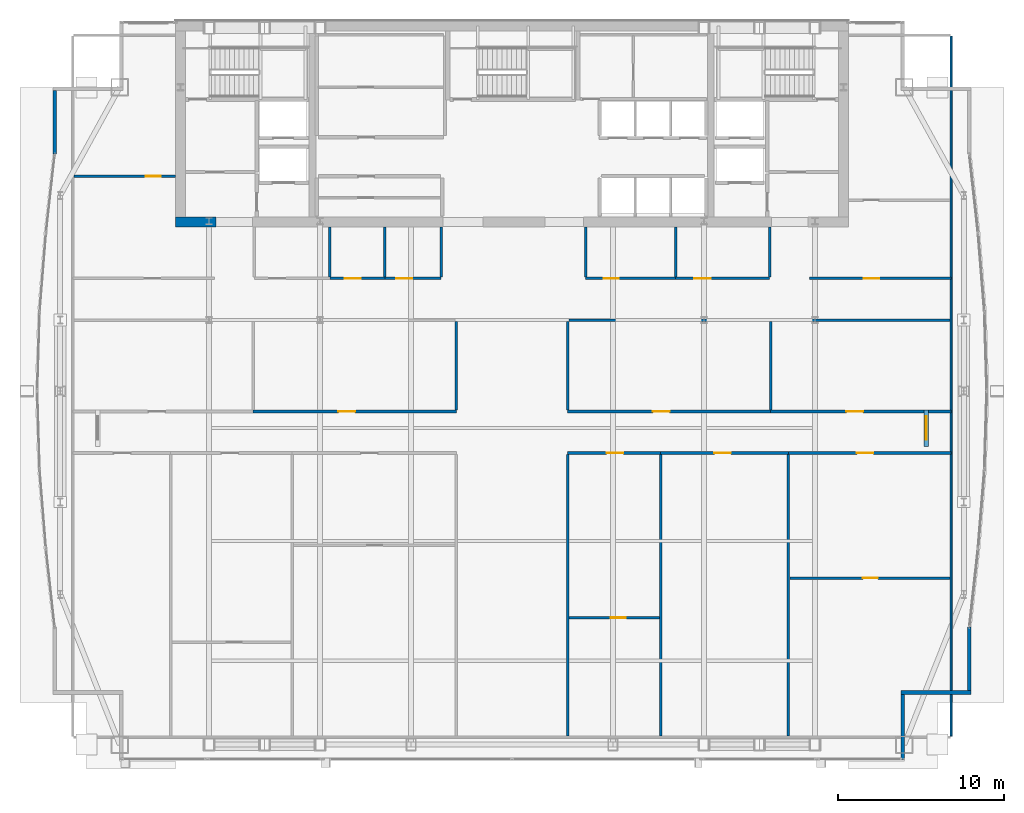
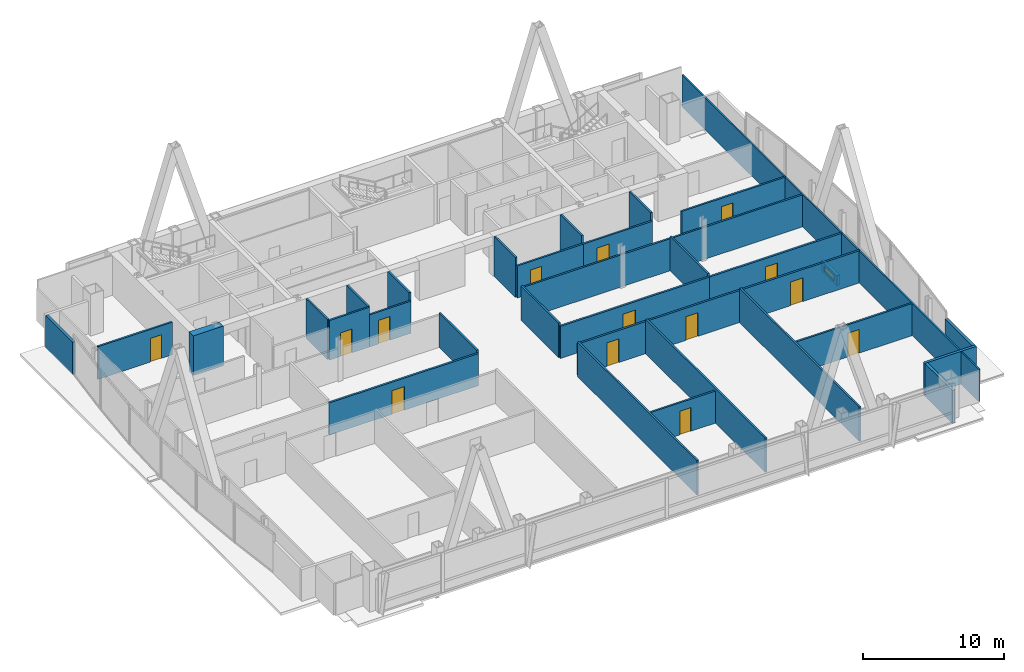
# One storey, part 26 of 30: 34 walls, 14 doors, 1 window, 15 openings.
"""IFC4 building model written with IfcOpenShell, lengths in metres."""

from ifc_helpers import new_model, si_unit, direction, frame, frame_2d, origin, place, context, subcontext, project, spatial, rectangle, extrude, material, layer, layer_set, type_object, element, fill, save


model = new_model("IFC4")

# Units and contexts
model_context = context("Model", 3, precision=1e-05, world=origin(), true_north=direction((0.0, 1.0)))
body_context = subcontext(model_context, "Body", "Model", "MODEL_VIEW")
ifc_project = project(units=[si_unit("LENGTHUNIT", "METRE"), si_unit("AREAUNIT", "SQUARE_METRE"), si_unit("VOLUMEUNIT", "CUBIC_METRE"), si_unit("PLANEANGLEUNIT", "RADIAN"), si_unit("MASSUNIT", "GRAM", prefix="KILO")], contexts=[model_context])

# Site, building, storey
site_placement = place(None, origin())
site = spatial("IfcSite", under=ifc_project, at=site_placement, CompositionType="ELEMENT")
building_placement = place(site_placement, origin())
building = spatial("IfcBuilding", under=site, at=building_placement, Name="Khoronbel Lancet Exchange", CompositionType="ELEMENT")
storey_placement = place(building_placement, frame((0.0, 0.0, 239.0)))
storey = spatial("IfcBuildingStorey", under=building, at=storey_placement, Name="L61", CompositionType="ELEMENT", Elevation=239.0)

# Walls
ifc_material_1 = material(Name="Concrete C60/75", Category="concrete")
ifc_layer_1 = layer(ifc_material_1, 0.60009765625, Name="Concrete C60/75")
ifc_layer_set_1 = layer_set([ifc_layer_1], Name="Concrete C60/75")
wall_type_1 = type_object("IfcWallType", Name="WL-CW3", PredefinedType="SHEAR", material=ifc_layer_set_1)
wall_1_placement = place(storey_placement, frame((18.64990234375, 41.60009765625, 0.0), z_axis=(0.0, 0.0, 1.0), x_axis=(-1.0, 0.0, 0.0)))
element("IfcWall", 1, at=wall_1_placement, inside=storey, type_object=wall_type_1, Name="Level L61 rear core south shear wall pier P1", PredefinedType="SHEAR", context=body_context, shape_type="SweptSolid", body=[
    extrude(rectangle(XDim=2.449951171875, YDim=0.60009765625, at=frame_2d((1.22509765625, 0.0))), origin(), (0.0, 0.0, 1.0), 3.43994140625),
])
ifc_material_2 = material(Name="Precast concrete C40/50", Category="concrete")
ifc_layer_2 = layer(ifc_material_2, 0.25, Name="Precast concrete C40/50")
ifc_layer_set_2 = layer_set([ifc_layer_2], Name="Precast concrete C40/50")
wall_type_2 = type_object("IfcWallType", Name="WL-EXT250", PredefinedType="SOLIDWALL", material=ifc_layer_set_2)
wall_2_placement = place(storey_placement, frame((8.93994140625, 45.675048828125, 0.0), z_axis=(0.0, 0.0, 1.0), x_axis=(0.0, 1.0, 0.0)))
element("IfcWall", 2, at=wall_2_placement, inside=storey, type_object=wall_type_2, Name="Level L61 notched-corner limestone pier 10", PredefinedType="SOLIDWALL", context=body_context, shape_type="SweptSolid", body=[
    extrude(rectangle(XDim=3.824951171875, YDim=0.219970703125, at=frame_2d((1.91259765625, 0.0))), origin(), (0.0, 0.0, 1.0), 2.830078125),
])
wall_3_placement = place(storey_placement, frame((63.9599609375, 17.22509765625, 0.0), z_axis=(0.0, 0.0, 1.0), x_axis=(0.0, -1.0, 0.0)))
element("IfcWall", 3, at=wall_3_placement, inside=storey, type_object=wall_type_2, Name="Level L61 notched-corner limestone pier 23", PredefinedType="SOLIDWALL", context=body_context, shape_type="SweptSolid", body=[
    extrude(rectangle(XDim=3.8251953125, YDim=0.219970703125, at=frame_2d((1.91259765625, 0.0))), origin(), (0.0, 0.0, 1.0), 2.830078125),
])
wall_4_placement = place(storey_placement, frame((64.070068359375, 13.2900390625, 0.0), z_axis=(0.0, 0.0, 1.0), x_axis=(-1.0, 0.0, 0.0)))
element("IfcWall", 4, at=wall_4_placement, inside=storey, type_object=wall_type_2, Name="Level L61 notched-corner limestone pier 24", PredefinedType="SOLIDWALL", context=body_context, shape_type="SweptSolid", body=[
    extrude(rectangle(XDim=4.219970703125, YDim=0.219970703125, at=frame_2d((2.10986328125, 0.0))), origin(), (0.0, 0.0, 1.0), 2.830078125),
])
wall_5_placement = place(storey_placement, frame((59.9599609375, 13.179931640625, 0.0), z_axis=(0.0, 0.0, 1.0), x_axis=(0.0, -1.0, 0.0)))
element("IfcWall", 5, at=wall_5_placement, inside=storey, type_object=wall_type_2, Name="Level L61 notched-corner limestone pier 25", PredefinedType="SOLIDWALL", context=body_context, shape_type="SweptSolid", body=[
    extrude(rectangle(XDim=3.909912109375, YDim=0.219970703125, at=frame_2d((1.955078125, 0.0))), origin(), (0.0, 0.0, 1.0), 2.830078125),
])

# Wall, opening, window
ifc_material_3 = material(Name="Concrete C40/50", Category="concrete")
ifc_layer_3 = layer(ifc_material_3, 0.25, Name="Concrete C40/50")
ifc_layer_set_3 = layer_set([ifc_layer_3], Name="Concrete C40/50")
wall_type_3 = type_object("IfcWallType", Name="WL-PAR250", PredefinedType="PARAPET", material=ifc_layer_set_3)
wall_6_placement = place(storey_placement, frame((61.375, 28.10009765625, 0.0), z_axis=(0.0, 0.0, 1.0), x_axis=(0.0, 1.0, 0.0)))
wall_6 = element("IfcWall", 6, at=wall_6_placement, inside=storey, type_object=wall_type_3, Name="Level L61 setback roof slab 2 smoke-ventilation skylight lantern curb", PredefinedType="PARAPET", context=body_context, shape_type="SweptSolid", body=[
    extrude(rectangle(XDim=2.199951171875, YDim=0.25, at=frame_2d((1.10009765625, 0.0))), origin(), (0.0, 0.0, 1.0), 0.8798828125),
])
opening_1_placement = place(wall_6_placement, frame((0.39990234375, 0.0, 0.159912109375)))
opening_1 = element("IfcOpeningElement", 7, at=opening_1_placement, cuts=wall_6, Name="Opening SK2", PredefinedType="OPENING", context=body_context, shape_type="SweptSolid", body=[
    extrude(rectangle(XDim=1.39990234375, YDim=0.5, at=frame_2d((0.699951171875, 0.25))), frame((0.0, 0.135009765625, 0.0), z_axis=(0.0, -1.0, 0.0), x_axis=(1.0, 0.0, 0.0)), (0.0, 0.0, 1.0), 0.27001953125),
])
ifc_material_4 = material(Name="Low-E Solar Control Insulating Glass", Category="glass")
window_type = type_object("IfcWindowType", Name="WIN-SK2", PartitioningType="SINGLE_PANEL", PredefinedType="SKYLIGHT", material=ifc_material_4)
window_placement = place(opening_1_placement, origin())
window = element("IfcWindow", 8, at=window_placement, inside=storey, type_object=window_type, Name="Level L61 setback roof slab 2 smoke-ventilation clerestory skylight", OverallHeight=0.5, OverallWidth=1.39990234375, PartitioningType="SINGLE_PANEL", PredefinedType="SKYLIGHT", context=body_context, shape_type="SweptSolid", body=[
    extrude(rectangle(XDim=1.39990234375, YDim=0.5, at=frame_2d((0.699951171875, 0.25))), frame((0.0, 0.030029296875, 0.0), z_axis=(0.0, -1.0, 0.0), x_axis=(1.0, 0.0, 0.0)), (0.0, 0.0, 1.0), 0.06005859375),
])
fill(opening_1, window)

# Walls
ifc_material_5 = material(Name="Acoustic Metal-Stud & Mineral-Wool Gypsum Partition 120 mm", Category="gypsum")
ifc_layer_4 = layer(ifc_material_5, 0.1201171875, Name="Acoustic Metal-Stud & Mineral-Wool Gypsum Partition 120 mm")
ifc_layer_set_4 = layer_set([ifc_layer_4], Name="Acoustic Metal-Stud & Mineral-Wool Gypsum Partition 120 mm")
wall_type_4 = type_object("IfcWallType", Name="WL-PRT120", PredefinedType="PARTITIONING", material=ifc_layer_set_4)
for number, where, z_axis, x_axis, name in (
    (9, (25.5, 38.280029296875, 0.0), (0.0, 0.0, 1.0), (0.0, 1.0, 0.0), "Level L61 interior partition PW-WC-1"),
    (10, (28.800048828125, 38.280029296875, 0.0), (0.0, 0.0, 1.0), (0.0, 1.0, 0.0), "Level L61 interior partition PW-WC-2"),
    (11, (32.179931640625, 38.280029296875, 0.0), (0.0, 0.0, 1.0), (0.0, 1.0, 0.0), "Level L61 interior partition PW-WC-3"),
    (12, (40.8798828125, 38.280029296875, 0.0), (0.0, 0.0, 1.0), (0.0, 1.0, 0.0), "Level L61 interior partition PW-NP-0"),
    (13, (46.300048828125, 38.280029296875, 0.0), (0.0, 0.0, 1.0), (0.0, 1.0, 0.0), "Level L61 interior partition PW-NP-M"),
    (14, (51.949951171875, 38.280029296875, 0.0), (0.0, 0.0, 1.0), (0.0, 1.0, 0.0), "Level L61 interior partition PW-NP-1"),
):
    element("IfcWall", number, at=place(storey_placement, frame(where, z_axis=z_axis, x_axis=x_axis)), inside=storey, type_object=wall_type_4, Name=name, PredefinedType="PARTITIONING", context=body_context, shape_type="SweptSolid", body=[
        extrude(rectangle(XDim=3.02001953125, YDim=0.14990234375, at=frame_2d((1.510009765625, 0.0))), origin(), (0.0, 0.0, 1.0), 3.43994140625),
    ])

# Wall, opening, door
wall_7_placement = place(storey_placement, frame((10.094970703125, 44.35009765625, 0.0), z_axis=(0.0, 0.0, 1.0), x_axis=(1.0, 0.0, 0.0)))
wall_7 = element("IfcWall", 15, at=wall_7_placement, inside=storey, type_object=wall_type_4, Name="Level L61 interior partition PW-NW-H", PredefinedType="PARTITIONING", context=body_context, shape_type="SweptSolid", body=[
    extrude(rectangle(XDim=6.10498046875, YDim=0.14990234375, at=frame_2d((3.052490234375, 0.0))), origin(), (0.0, 0.0, 1.0), 2.830078125),
])
opening_2_placement = place(wall_7_placement, frame((4.320068359375, 0.0, 0.0)))
opening_2 = element("IfcOpeningElement", 16, at=opening_2_placement, cuts=wall_7, Name="Opening D5", PredefinedType="OPENING", context=body_context, shape_type="SweptSolid", body=[
    extrude(rectangle(XDim=0.89990234375, YDim=2.050048828125, at=frame_2d((0.449951171875, 1.02490234375))), frame((0.0, 0.0849609375, 0.0), z_axis=(0.0, -1.0, 0.0), x_axis=(1.0, 0.0, 0.0)), (0.0, 0.0, 1.0), 0.169921875),
])
ifc_material_6 = material(Name="Acoustic Timber Pantry & Support Door", Category="wood")
door_type_1 = type_object("IfcDoorType", Name="DR-D5", OperationType="NOTDEFINED", PredefinedType="DOOR", material=ifc_material_6)
door_1_placement = place(opening_2_placement, origin())
door_1 = element("IfcDoor", 17, at=door_1_placement, inside=storey, type_object=door_type_1, Name="NW north room door L61-1", OperationType="SINGLE_SWING_LEFT", OverallHeight=2.050048828125, OverallWidth=0.89990234375, PredefinedType="DOOR", context=body_context, shape_type="SweptSolid", body=[
    extrude(rectangle(XDim=0.89990234375, YDim=2.050048828125, at=frame_2d((0.449951171875, 1.02490234375))), frame((0.0, 0.02490234375, 0.0), z_axis=(0.0, -1.0, 0.0), x_axis=(1.0, 0.0, 0.0)), (0.0, 0.0, 1.0), 0.050048828125),
])
fill(opening_2, door_1)

wall_8_placement = place(storey_placement, frame((39.8798828125, 17.781982421875, 0.0), z_axis=(0.0, 0.0, 1.0), x_axis=(1.0, 0.0, 0.0)))
wall_8 = element("IfcWall", 18, at=wall_8_placement, inside=storey, type_object=wall_type_4, Name="Level L61 interior partition PW-Z3SE-H1", PredefinedType="PARTITIONING", context=body_context, shape_type="SweptSolid", body=[
    extrude(rectangle(XDim=5.432861328125, YDim=0.14990234375, at=frame_2d((2.71630859375, 0.0))), origin(), (0.0, 0.0, 1.0), 2.780029296875),
])
opening_3_placement = place(wall_8_placement, frame((2.5166015625, 0.0, 0.0)))
opening_3 = element("IfcOpeningElement", 19, at=opening_3_placement, cuts=wall_8, Name="Opening D5", PredefinedType="OPENING", context=body_context, shape_type="SweptSolid", body=[
    extrude(rectangle(XDim=0.89990234375, YDim=2.050048828125, at=frame_2d((0.449951171875, 1.02490234375))), frame((0.0, 0.0849609375, 0.0), z_axis=(0.0, -1.0, 0.0), x_axis=(1.0, 0.0, 0.0)), (0.0, 0.0, 1.0), 0.169921875),
])
door_2_placement = place(opening_3_placement, origin())
door_2 = element("IfcDoor", 20, at=door_2_placement, inside=storey, type_object=door_type_1, Name="Z3SE inner door 1 L61-1", OperationType="SINGLE_SWING_LEFT", OverallHeight=2.050048828125, OverallWidth=0.89990234375, PredefinedType="DOOR", context=body_context, shape_type="SweptSolid", body=[
    extrude(rectangle(XDim=0.89990234375, YDim=2.050048828125, at=frame_2d((0.449951171875, 1.02490234375))), frame((0.0, 0.02490234375, 0.0), z_axis=(0.0, -1.0, 0.0), x_axis=(1.0, 0.0, 0.0)), (0.0, 0.0, 1.0), 0.050048828125),
])
fill(opening_3, door_2)

wall_9_placement = place(storey_placement, frame((53.16259765625, 20.176025390625, 0.0), z_axis=(0.0, 0.0, 1.0), x_axis=(1.0, 0.0, 0.0)))
wall_9 = element("IfcWall", 21, at=wall_9_placement, inside=storey, type_object=wall_type_4, Name="Level L61 interior partition PW-Z3SE-H3", PredefinedType="PARTITIONING", context=body_context, shape_type="SweptSolid", body=[
    extrude(rectangle(XDim=9.642333984375, YDim=0.14990234375, at=frame_2d((4.8212890625, 0.0))), origin(), (0.0, 0.0, 1.0), 2.780029296875),
])
opening_4_placement = place(wall_9_placement, frame((4.404296875, 0.0, 0.0)))
opening_4 = element("IfcOpeningElement", 22, at=opening_4_placement, cuts=wall_9, Name="Opening D5", PredefinedType="OPENING", context=body_context, shape_type="SweptSolid", body=[
    extrude(rectangle(XDim=0.89990234375, YDim=2.050048828125, at=frame_2d((0.449951171875, 1.02490234375))), frame((0.0, 0.0849609375, 0.0), z_axis=(0.0, -1.0, 0.0), x_axis=(1.0, 0.0, 0.0)), (0.0, 0.0, 1.0), 0.169921875),
])
door_3_placement = place(opening_4_placement, origin())
door_3 = element("IfcDoor", 23, at=door_3_placement, inside=storey, type_object=door_type_1, Name="Z3SE inner door 3 L61-1", OperationType="SINGLE_SWING_RIGHT", OverallHeight=2.050048828125, OverallWidth=0.89990234375, PredefinedType="DOOR", context=body_context, shape_type="SweptSolid", body=[
    extrude(rectangle(XDim=0.89990234375, YDim=2.050048828125, at=frame_2d((0.449951171875, 1.02490234375))), frame((0.0, 0.02490234375, 0.0), z_axis=(0.0, -1.0, 0.0), x_axis=(1.0, 0.0, 0.0)), (0.0, 0.0, 1.0), 0.050048828125),
])
fill(opening_4, door_3)

# Wall
wall_10_placement = place(storey_placement, frame((62.8701171875, 10.6650390625, 0.0), z_axis=(0.0, 0.0, 1.0), x_axis=(0.0, 1.0, 0.0)))
element("IfcWall", 24, at=wall_10_placement, inside=storey, type_object=wall_type_4, Name="Level L61 interior partition PW-LIN-E", PredefinedType="PARTITIONING", context=body_context, shape_type="SweptSolid", body=[
    extrude(rectangle(XDim=42.10986328125, YDim=0.1201171875, at=frame_2d((21.054931640625, 0.0))), origin(), (0.0, 0.0, 1.0), 2.780029296875),
])

# Wall, opening, door
ifc_material_7 = material(Name="Fire-Rated Twin-Stud Acoustic Gypsum Partition 150 mm", Category="gypsum")
ifc_layer_5 = layer(ifc_material_7, 0.14990234375, Name="Fire-Rated Twin-Stud Acoustic Gypsum Partition 150 mm")
ifc_layer_set_5 = layer_set([ifc_layer_5], Name="Fire-Rated Twin-Stud Acoustic Gypsum Partition 150 mm")
wall_type_5 = type_object("IfcWallType", Name="WL-PRT150C", PredefinedType="PARTITIONING", material=ifc_layer_set_5)
wall_11_placement = place(storey_placement, frame((25.5, 38.199951171875, 0.0), z_axis=(0.0, 0.0, 1.0), x_axis=(1.0, 0.0, 0.0)))
wall_11 = element("IfcWall", 25, at=wall_11_placement, inside=storey, type_object=wall_type_5, Name="Level L61 interior partition PW-WC-S2", PredefinedType="PARTITIONING", context=body_context, shape_type="SweptSolid", body=[
    extrude(rectangle(XDim=3.300048828125, YDim=0.14990234375, at=frame_2d((1.64990234375, 0.0))), origin(), (0.0, 0.0, 1.0), 3.43994140625),
])
opening_5_placement = place(wall_11_placement, frame((0.89990234375, 0.0, 0.0)))
opening_5 = element("IfcOpeningElement", 26, at=opening_5_placement, cuts=wall_11, Name="Opening D4", PredefinedType="OPENING", context=body_context, shape_type="SweptSolid", body=[
    extrude(rectangle(XDim=0.949951171875, YDim=2.050048828125, at=frame_2d((0.47509765625, 1.02490234375))), frame((0.0, 0.0849609375, 0.0), z_axis=(0.0, -1.0, 0.0), x_axis=(1.0, 0.0, 0.0)), (0.0, 0.0, 1.0), 0.169921875),
])
ifc_material_8 = material(Name="Moisture-Resistant HPL Washroom Door", Category="wood")
door_type_2 = type_object("IfcDoorType", Name="DR-D4", OperationType="NOTDEFINED", PredefinedType="DOOR", material=ifc_material_8)
door_4_placement = place(opening_5_placement, origin())
door_4 = element("IfcDoor", 27, at=door_4_placement, inside=storey, type_object=door_type_2, Name="Female washroom door L61-1", OperationType="SINGLE_SWING_LEFT", OverallHeight=2.050048828125, OverallWidth=0.949951171875, PredefinedType="DOOR", context=body_context, shape_type="SweptSolid", body=[
    extrude(rectangle(XDim=0.949951171875, YDim=2.050048828125, at=frame_2d((0.47509765625, 1.02490234375))), frame((0.0, 0.02490234375, 0.0), z_axis=(0.0, -1.0, 0.0), x_axis=(1.0, 0.0, 0.0)), (0.0, 0.0, 1.0), 0.050048828125),
])
fill(opening_5, door_4)

wall_12_placement = place(storey_placement, frame((28.800048828125, 38.199951171875, 0.0), z_axis=(0.0, 0.0, 1.0), x_axis=(1.0, 0.0, 0.0)))
wall_12 = element("IfcWall", 28, at=wall_12_placement, inside=storey, type_object=wall_type_5, Name="Level L61 interior partition PW-WC-S3", PredefinedType="PARTITIONING", context=body_context, shape_type="SweptSolid", body=[
    extrude(rectangle(XDim=3.3798828125, YDim=0.14990234375, at=frame_2d((1.68994140625, 0.0))), origin(), (0.0, 0.0, 1.0), 2.780029296875),
])
opening_6_placement = place(wall_12_placement, frame((0.699951171875, 0.0, 0.0)))
opening_6 = element("IfcOpeningElement", 29, at=opening_6_placement, cuts=wall_12, Name="Opening D4", PredefinedType="OPENING", context=body_context, shape_type="SweptSolid", body=[
    extrude(rectangle(XDim=0.949951171875, YDim=2.050048828125, at=frame_2d((0.47509765625, 1.02490234375))), frame((0.0, 0.0849609375, 0.0), z_axis=(0.0, -1.0, 0.0), x_axis=(1.0, 0.0, 0.0)), (0.0, 0.0, 1.0), 0.169921875),
])
door_5_placement = place(opening_6_placement, origin())
door_5 = element("IfcDoor", 30, at=door_5_placement, inside=storey, type_object=door_type_2, Name="Accessible WC door L61-1", OperationType="SINGLE_SWING_RIGHT", OverallHeight=2.050048828125, OverallWidth=0.949951171875, PredefinedType="DOOR", context=body_context, shape_type="SweptSolid", body=[
    extrude(rectangle(XDim=0.949951171875, YDim=2.050048828125, at=frame_2d((0.47509765625, 1.02490234375))), frame((0.0, 0.02490234375, 0.0), z_axis=(0.0, -1.0, 0.0), x_axis=(1.0, 0.0, 0.0)), (0.0, 0.0, 1.0), 0.050048828125),
])
fill(opening_6, door_5)

wall_13_placement = place(storey_placement, frame((40.8798828125, 38.199951171875, 0.0), z_axis=(0.0, 0.0, 1.0), x_axis=(1.0, 0.0, 0.0)))
wall_13 = element("IfcWall", 31, at=wall_13_placement, inside=storey, type_object=wall_type_5, Name="Level L61 interior partition PW-NP-S1", PredefinedType="PARTITIONING", context=body_context, shape_type="SweptSolid", body=[
    extrude(rectangle(XDim=5.420166015625, YDim=0.14990234375, at=frame_2d((2.7099609375, 0.0))), origin(), (0.0, 0.0, 1.0), 2.780029296875),
])
opening_7_placement = place(wall_13_placement, frame((1.10009765625, 0.0, 0.0)))
opening_7 = element("IfcOpeningElement", 32, at=opening_7_placement, cuts=wall_13, Name="Opening D5", PredefinedType="OPENING", context=body_context, shape_type="SweptSolid", body=[
    extrude(rectangle(XDim=0.89990234375, YDim=2.050048828125, at=frame_2d((0.449951171875, 1.02490234375))), frame((0.0, 0.0849609375, 0.0), z_axis=(0.0, -1.0, 0.0), x_axis=(1.0, 0.0, 0.0)), (0.0, 0.0, 1.0), 0.169921875),
])
door_6_placement = place(opening_7_placement, origin())
door_6 = element("IfcDoor", 33, at=door_6_placement, inside=storey, type_object=door_type_1, Name="Floor refreshment pantry door L61-1", OperationType="SINGLE_SWING_LEFT", OverallHeight=2.050048828125, OverallWidth=0.89990234375, PredefinedType="DOOR", context=body_context, shape_type="SweptSolid", body=[
    extrude(rectangle(XDim=0.89990234375, YDim=2.050048828125, at=frame_2d((0.449951171875, 1.02490234375))), frame((0.0, 0.02490234375, 0.0), z_axis=(0.0, -1.0, 0.0), x_axis=(1.0, 0.0, 0.0)), (0.0, 0.0, 1.0), 0.050048828125),
])
fill(opening_7, door_6)

wall_14_placement = place(storey_placement, frame((46.300048828125, 38.199951171875, 0.0), z_axis=(0.0, 0.0, 1.0), x_axis=(1.0, 0.0, 0.0)))
wall_14 = element("IfcWall", 34, at=wall_14_placement, inside=storey, type_object=wall_type_5, Name="Level L61 interior partition PW-NP-S2", PredefinedType="PARTITIONING", context=body_context, shape_type="SweptSolid", body=[
    extrude(rectangle(XDim=5.64990234375, YDim=0.14990234375, at=frame_2d((2.824951171875, 0.0))), origin(), (0.0, 0.0, 1.0), 2.780029296875),
])
opening_8_placement = place(wall_14_placement, frame((1.10009765625, 0.0, 0.0)))
opening_8 = element("IfcOpeningElement", 35, at=opening_8_placement, cuts=wall_14, Name="Opening D2", PredefinedType="OPENING", context=body_context, shape_type="SweptSolid", body=[
    extrude(rectangle(XDim=1.0, YDim=2.050048828125, at=frame_2d((0.5, 1.02490234375))), frame((0.0, 0.0849609375, 0.0), z_axis=(0.0, -1.0, 0.0), x_axis=(1.0, 0.0, 0.0)), (0.0, 0.0, 1.0), 0.169921875),
])
ifc_material_9 = material(Name="Acoustic Veneered Timber & Bronze Frame Door", Category="wood")
door_type_3 = type_object("IfcDoorType", Name="DR-D2", OperationType="NOTDEFINED", PredefinedType="DOOR", material=ifc_material_9)
door_7_placement = place(opening_8_placement, origin())
door_7 = element("IfcDoor", 36, at=door_7_placement, inside=storey, type_object=door_type_3, Name="Floor store door L61-1", OperationType="SINGLE_SWING_RIGHT", OverallHeight=2.050048828125, OverallWidth=1.0, PredefinedType="DOOR", context=body_context, shape_type="SweptSolid", body=[
    extrude(rectangle(XDim=1.0, YDim=2.050048828125, at=frame_2d((0.5, 1.02490234375))), frame((0.0, 0.02490234375, 0.0), z_axis=(0.0, -1.0, 0.0), x_axis=(1.0, 0.0, 0.0)), (0.0, 0.0, 1.0), 0.050048828125),
])
fill(opening_8, door_7)

wall_15_placement = place(storey_placement, frame((54.35009765625, 38.199951171875, 0.0), z_axis=(0.0, 0.0, 1.0), x_axis=(1.0, 0.0, 0.0)))
wall_15 = element("IfcWall", 37, at=wall_15_placement, inside=storey, type_object=wall_type_5, Name="Level L61 interior partition PW-NE-S", PredefinedType="PARTITIONING", context=body_context, shape_type="SweptSolid", body=[
    extrude(rectangle(XDim=8.52001953125, YDim=0.14990234375, at=frame_2d((4.260009765625, 0.0))), origin(), (0.0, 0.0, 1.0), 2.780029296875),
])
opening_9_placement = place(wall_15_placement, frame((3.25, 0.0, 0.0)))
opening_9 = element("IfcOpeningElement", 38, at=opening_9_placement, cuts=wall_15, Name="Opening D1", PredefinedType="OPENING", context=body_context, shape_type="SweptSolid", body=[
    extrude(rectangle(XDim=0.949951171875, YDim=2.050048828125, at=frame_2d((0.47509765625, 1.02490234375))), frame((0.0, 0.0849609375, 0.0), z_axis=(0.0, -1.0, 0.0), x_axis=(1.0, 0.0, 0.0)), (0.0, 0.0, 1.0), 0.169921875),
])
door_type_4 = type_object("IfcDoorType", Name="DR-D1", OperationType="NOTDEFINED", PredefinedType="DOOR", material=ifc_material_9)
door_8_placement = place(opening_9_placement, origin())
door_8 = element("IfcDoor", 39, at=door_8_placement, inside=storey, type_object=door_type_4, Name="NE corner room door L61-1", OperationType="SINGLE_SWING_RIGHT", OverallHeight=2.050048828125, OverallWidth=0.949951171875, PredefinedType="DOOR", context=body_context, shape_type="SweptSolid", body=[
    extrude(rectangle(XDim=0.949951171875, YDim=2.050048828125, at=frame_2d((0.47509765625, 1.02490234375))), frame((0.0, 0.02490234375, 0.0), z_axis=(0.0, -1.0, 0.0), x_axis=(1.0, 0.0, 0.0)), (0.0, 0.0, 1.0), 0.050048828125),
])
fill(opening_9, door_8)

# Walls
wall_16_placement = place(storey_placement, frame((39.800048828125, 10.6650390625, 0.0), z_axis=(0.0, 0.0, 1.0), x_axis=(0.0, 1.0, 0.0)))
element("IfcWall", 40, at=wall_16_placement, inside=storey, type_object=wall_type_5, Name="Level L61 interior partition PW-Z3-CE1", PredefinedType="PARTITIONING", context=body_context, shape_type="SweptSolid", body=[
    extrude(rectangle(XDim=16.949951171875, YDim=0.14990234375, at=frame_2d((8.47509765625, 0.0))), origin(), (0.0, 0.0, 1.0), 2.97998046875),
])
for number, where, z_axis, x_axis, name in (
    (41, (33.10009765625, 30.284912109375, 0.0), (0.0, 0.0, 1.0), (0.0, 1.0, 0.0), "Level L61 interior partition PW-Z3-CW2"),
    (42, (39.800048828125, 30.284912109375, 0.0), (0.0, 0.0, 1.0), (0.0, 1.0, 0.0), "Level L61 interior partition PW-Z3-CE2"),
):
    element("IfcWall", number, at=place(storey_placement, frame(where, z_axis=z_axis, x_axis=x_axis)), inside=storey, type_object=wall_type_5, Name=name, PredefinedType="PARTITIONING", context=body_context, shape_type="SweptSolid", body=[
        extrude(rectangle(XDim=5.335205078125, YDim=0.14990234375, at=frame_2d((2.66748046875, 0.0))), origin(), (0.0, 0.0, 1.0), 2.97998046875),
    ])
wall_17_placement = place(storey_placement, frame((39.8798828125, 35.699951171875, 0.0), z_axis=(0.0, 0.0, 1.0), x_axis=(1.0, 0.0, 0.0)))
element("IfcWall", 43, at=wall_17_placement, inside=storey, type_object=wall_type_5, Name="Level L61 interior partition PW-Z3-EN", PredefinedType="PARTITIONING", context=body_context, shape_type="SweptSolid", body=[
    extrude(rectangle(XDim=22.925048828125, YDim=0.14990234375, at=frame_2d((11.46240234375, 0.0))), origin(), (0.0, 0.0, 1.0), 2.780029296875),
])
for number, where, z_axis, x_axis, name in (
    (44, (45.392578125, 10.6650390625, 0.0), (0.0, 0.0, 1.0), (0.0, 1.0, 0.0), "Level L61 interior partition PW-Z3SE-V1"),
    (45, (53.082763671875, 10.6650390625, 0.0), (0.0, 0.0, 1.0), (0.0, 1.0, 0.0), "Level L61 interior partition PW-Z3SE-V2"),
):
    element("IfcWall", number, at=place(storey_placement, frame(where, z_axis=z_axis, x_axis=x_axis)), inside=storey, type_object=wall_type_5, Name=name, PredefinedType="PARTITIONING", context=body_context, shape_type="SweptSolid", body=[
        extrude(rectangle(XDim=16.949951171875, YDim=0.14990234375, at=frame_2d((8.47509765625, 0.0))), origin(), (0.0, 0.0, 1.0), 2.97998046875),
    ])
wall_18_placement = place(storey_placement, frame((52.013427734375, 30.284912109375, 0.0), z_axis=(0.0, 0.0, 1.0), x_axis=(0.0, 1.0, 0.0)))
element("IfcWall", 46, at=wall_18_placement, inside=storey, type_object=wall_type_5, Name="Level L61 interior partition PW-Z3NE-V1", PredefinedType="PARTITIONING", context=body_context, shape_type="SweptSolid", body=[
    extrude(rectangle(XDim=5.335205078125, YDim=0.14990234375, at=frame_2d((2.66748046875, 0.0))), origin(), (0.0, 0.0, 1.0), 2.97998046875),
])

# Wall, opening, door
ifc_material_10 = material(Name="Fire-Rated Twin-Stud Acoustic Gypsum Partition 160 mm", Category="gypsum")
ifc_layer_6 = layer(ifc_material_10, 0.159912109375, Name="Fire-Rated Twin-Stud Acoustic Gypsum Partition 160 mm")
ifc_layer_set_6 = layer_set([ifc_layer_6], Name="Fire-Rated Twin-Stud Acoustic Gypsum Partition 160 mm")
wall_type_6 = type_object("IfcWallType", Name="WL-PRT160C", PredefinedType="PARTITIONING", material=ifc_layer_set_6)
wall_19_placement = place(storey_placement, frame((39.800048828125, 27.699951171875, 0.0), z_axis=(0.0, 0.0, 1.0), x_axis=(1.0, 0.0, 0.0)))
wall_19 = element("IfcWall", 47, at=wall_19_placement, inside=storey, type_object=wall_type_6, Name="Level L61 interior partition PW-Z3SE-COR1", PredefinedType="PARTITIONING", context=body_context, shape_type="SweptSolid", body=[
    extrude(rectangle(XDim=5.592529296875, YDim=0.159912109375, at=frame_2d((2.79638671875, 0.0))), origin(), (0.0, 0.0, 1.0), 2.780029296875),
])
opening_10_placement = place(wall_19_placement, frame((2.348876953125, 0.0, 0.0)))
opening_10 = element("IfcOpeningElement", 48, at=opening_10_placement, cuts=wall_19, Name="Opening D2", PredefinedType="OPENING", context=body_context, shape_type="SweptSolid", body=[
    extrude(rectangle(XDim=1.0, YDim=2.050048828125, at=frame_2d((0.5, 1.02490234375))), frame((0.0, 0.08984375, 0.0), z_axis=(0.0, -1.0, 0.0), x_axis=(1.0, 0.0, 0.0)), (0.0, 0.0, 1.0), 0.179931640625),
])
door_9_placement = place(opening_10_placement, origin())
door_9 = element("IfcDoor", 49, at=door_9_placement, inside=storey, type_object=door_type_3, Name="Z3SE bay 1 door L61-1", OperationType="SINGLE_SWING_RIGHT", OverallHeight=2.050048828125, OverallWidth=1.0, PredefinedType="DOOR", context=body_context, shape_type="SweptSolid", body=[
    extrude(rectangle(XDim=1.0, YDim=2.050048828125, at=frame_2d((0.5, 1.02490234375))), frame((0.0, 0.02490234375, 0.0), z_axis=(0.0, -1.0, 0.0), x_axis=(1.0, 0.0, 0.0)), (0.0, 0.0, 1.0), 0.050048828125),
])
fill(opening_10, door_9)

wall_20_placement = place(storey_placement, frame((45.392578125, 27.699951171875, 0.0), z_axis=(0.0, 0.0, 1.0), x_axis=(1.0, 0.0, 0.0)))
wall_20 = element("IfcWall", 50, at=wall_20_placement, inside=storey, type_object=wall_type_6, Name="Level L61 interior partition PW-Z3SE-COR2", PredefinedType="PARTITIONING", context=body_context, shape_type="SweptSolid", body=[
    extrude(rectangle(XDim=7.690185546875, YDim=0.159912109375, at=frame_2d((3.84521484375, 0.0))), origin(), (0.0, 0.0, 1.0), 2.780029296875),
])
opening_11_placement = place(wall_20_placement, frame((3.229736328125, 0.0, 0.0)))
opening_11 = element("IfcOpeningElement", 51, at=opening_11_placement, cuts=wall_20, Name="Opening D2", PredefinedType="OPENING", context=body_context, shape_type="SweptSolid", body=[
    extrude(rectangle(XDim=1.0, YDim=2.050048828125, at=frame_2d((0.5, 1.02490234375))), frame((0.0, 0.08984375, 0.0), z_axis=(0.0, -1.0, 0.0), x_axis=(1.0, 0.0, 0.0)), (0.0, 0.0, 1.0), 0.179931640625),
])
door_10_placement = place(opening_11_placement, origin())
door_10 = element("IfcDoor", 52, at=door_10_placement, inside=storey, type_object=door_type_3, Name="Z3SE bay 2 door L61-1", OperationType="SINGLE_SWING_RIGHT", OverallHeight=2.050048828125, OverallWidth=1.0, PredefinedType="DOOR", context=body_context, shape_type="SweptSolid", body=[
    extrude(rectangle(XDim=1.0, YDim=2.050048828125, at=frame_2d((0.5, 1.02490234375))), frame((0.0, 0.02490234375, 0.0), z_axis=(0.0, -1.0, 0.0), x_axis=(1.0, 0.0, 0.0)), (0.0, 0.0, 1.0), 0.050048828125),
])
fill(opening_11, door_10)

wall_21_placement = place(storey_placement, frame((53.082763671875, 27.699951171875, 0.0), z_axis=(0.0, 0.0, 1.0), x_axis=(1.0, 0.0, 0.0)))
wall_21 = element("IfcWall", 53, at=wall_21_placement, inside=storey, type_object=wall_type_6, Name="Level L61 interior partition PW-Z3SE-COR3", PredefinedType="PARTITIONING", context=body_context, shape_type="SweptSolid", body=[
    extrude(rectangle(XDim=9.787353515625, YDim=0.159912109375, at=frame_2d((4.8935546875, 0.0))), origin(), (0.0, 0.0, 1.0), 2.780029296875),
])
opening_12_placement = place(wall_21_placement, frame((4.110595703125, 0.0, 0.0)))
opening_12 = element("IfcOpeningElement", 54, at=opening_12_placement, cuts=wall_21, Name="Opening D2", PredefinedType="OPENING", context=body_context, shape_type="SweptSolid", body=[
    extrude(rectangle(XDim=1.0, YDim=2.050048828125, at=frame_2d((0.5, 1.02490234375))), frame((0.0, 0.08984375, 0.0), z_axis=(0.0, -1.0, 0.0), x_axis=(1.0, 0.0, 0.0)), (0.0, 0.0, 1.0), 0.179931640625),
])
door_11_placement = place(opening_12_placement, origin())
door_11 = element("IfcDoor", 55, at=door_11_placement, inside=storey, type_object=door_type_3, Name="Z3SE bay 3 door L61-1", OperationType="SINGLE_SWING_LEFT", OverallHeight=2.050048828125, OverallWidth=1.0, PredefinedType="DOOR", context=body_context, shape_type="SweptSolid", body=[
    extrude(rectangle(XDim=1.0, YDim=2.050048828125, at=frame_2d((0.5, 1.02490234375))), frame((0.0, 0.02490234375, 0.0), z_axis=(0.0, -1.0, 0.0), x_axis=(1.0, 0.0, 0.0)), (0.0, 0.0, 1.0), 0.050048828125),
])
fill(opening_12, door_11)

wall_22_placement = place(storey_placement, frame((20.87060546875, 30.199951171875, 0.0), z_axis=(0.0, 0.0, 1.0), x_axis=(1.0, 0.0, 0.0)))
wall_22 = element("IfcWall", 56, at=wall_22_placement, inside=storey, type_object=wall_type_6, Name="Level L61 interior partition PW-Z3NW-COR2", PredefinedType="PARTITIONING", context=body_context, shape_type="SweptSolid", body=[
    extrude(rectangle(XDim=12.2294921875, YDim=0.159912109375, at=frame_2d((6.11474609375, 0.0))), origin(), (0.0, 0.0, 1.0), 2.780029296875),
])
opening_13_placement = place(wall_22_placement, frame((5.13623046875, 0.0, 0.0)))
opening_13 = element("IfcOpeningElement", 57, at=opening_13_placement, cuts=wall_22, Name="Opening D2", PredefinedType="OPENING", context=body_context, shape_type="SweptSolid", body=[
    extrude(rectangle(XDim=1.0, YDim=2.050048828125, at=frame_2d((0.5, 1.02490234375))), frame((0.0, 0.08984375, 0.0), z_axis=(0.0, -1.0, 0.0), x_axis=(1.0, 0.0, 0.0)), (0.0, 0.0, 1.0), 0.179931640625),
])
door_12_placement = place(opening_13_placement, origin())
door_12 = element("IfcDoor", 58, at=door_12_placement, inside=storey, type_object=door_type_3, Name="Z3NW bay 2 door L61-1", OperationType="SINGLE_SWING_RIGHT", OverallHeight=2.050048828125, OverallWidth=1.0, PredefinedType="DOOR", context=body_context, shape_type="SweptSolid", body=[
    extrude(rectangle(XDim=1.0, YDim=2.050048828125, at=frame_2d((0.5, 1.02490234375))), frame((0.0, 0.02490234375, 0.0), z_axis=(0.0, -1.0, 0.0), x_axis=(1.0, 0.0, 0.0)), (0.0, 0.0, 1.0), 0.050048828125),
])
fill(opening_13, door_12)

wall_23_placement = place(storey_placement, frame((39.800048828125, 30.199951171875, 0.0), z_axis=(0.0, 0.0, 1.0), x_axis=(1.0, 0.0, 0.0)))
wall_23 = element("IfcWall", 59, at=wall_23_placement, inside=storey, type_object=wall_type_6, Name="Level L61 interior partition PW-Z3NE-COR1", PredefinedType="PARTITIONING", context=body_context, shape_type="SweptSolid", body=[
    extrude(rectangle(XDim=12.21337890625, YDim=0.159912109375, at=frame_2d((6.106689453125, 0.0))), origin(), (0.0, 0.0, 1.0), 2.780029296875),
])
opening_14_placement = place(wall_23_placement, frame((5.129638671875, 0.0, 0.0)))
opening_14 = element("IfcOpeningElement", 60, at=opening_14_placement, cuts=wall_23, Name="Opening D2", PredefinedType="OPENING", context=body_context, shape_type="SweptSolid", body=[
    extrude(rectangle(XDim=1.0, YDim=2.050048828125, at=frame_2d((0.5, 1.02490234375))), frame((0.0, 0.08984375, 0.0), z_axis=(0.0, -1.0, 0.0), x_axis=(1.0, 0.0, 0.0)), (0.0, 0.0, 1.0), 0.179931640625),
])
door_13_placement = place(opening_14_placement, origin())
door_13 = element("IfcDoor", 61, at=door_13_placement, inside=storey, type_object=door_type_3, Name="Z3NE bay 1 door L61-1", OperationType="SINGLE_SWING_LEFT", OverallHeight=2.050048828125, OverallWidth=1.0, PredefinedType="DOOR", context=body_context, shape_type="SweptSolid", body=[
    extrude(rectangle(XDim=1.0, YDim=2.050048828125, at=frame_2d((0.5, 1.02490234375))), frame((0.0, 0.02490234375, 0.0), z_axis=(0.0, -1.0, 0.0), x_axis=(1.0, 0.0, 0.0)), (0.0, 0.0, 1.0), 0.050048828125),
])
fill(opening_14, door_13)

wall_24_placement = place(storey_placement, frame((52.013427734375, 30.199951171875, 0.0), z_axis=(0.0, 0.0, 1.0), x_axis=(1.0, 0.0, 0.0)))
wall_24 = element("IfcWall", 62, at=wall_24_placement, inside=storey, type_object=wall_type_6, Name="Level L61 interior partition PW-Z3NE-COR2", PredefinedType="PARTITIONING", context=body_context, shape_type="SweptSolid", body=[
    extrude(rectangle(XDim=10.856689453125, YDim=0.159912109375, at=frame_2d((5.42822265625, 0.0))), origin(), (0.0, 0.0, 1.0), 2.780029296875),
])
opening_15_placement = place(wall_24_placement, frame((4.559814453125, 0.0, 0.0)))
opening_15 = element("IfcOpeningElement", 63, at=opening_15_placement, cuts=wall_24, Name="Opening D2", PredefinedType="OPENING", context=body_context, shape_type="SweptSolid", body=[
    extrude(rectangle(XDim=1.0, YDim=2.050048828125, at=frame_2d((0.5, 1.02490234375))), frame((0.0, 0.08984375, 0.0), z_axis=(0.0, -1.0, 0.0), x_axis=(1.0, 0.0, 0.0)), (0.0, 0.0, 1.0), 0.179931640625),
])
door_14_placement = place(opening_15_placement, origin())
door_14 = element("IfcDoor", 64, at=door_14_placement, inside=storey, type_object=door_type_3, Name="Z3NE bay 2 door L61-1", OperationType="SINGLE_SWING_RIGHT", OverallHeight=2.050048828125, OverallWidth=1.0, PredefinedType="DOOR", context=body_context, shape_type="SweptSolid", body=[
    extrude(rectangle(XDim=1.0, YDim=2.050048828125, at=frame_2d((0.5, 1.02490234375))), frame((0.0, 0.02490234375, 0.0), z_axis=(0.0, -1.0, 0.0), x_axis=(1.0, 0.0, 0.0)), (0.0, 0.0, 1.0), 0.050048828125),
])
fill(opening_15, door_14)

save(model, "model.ifc")
